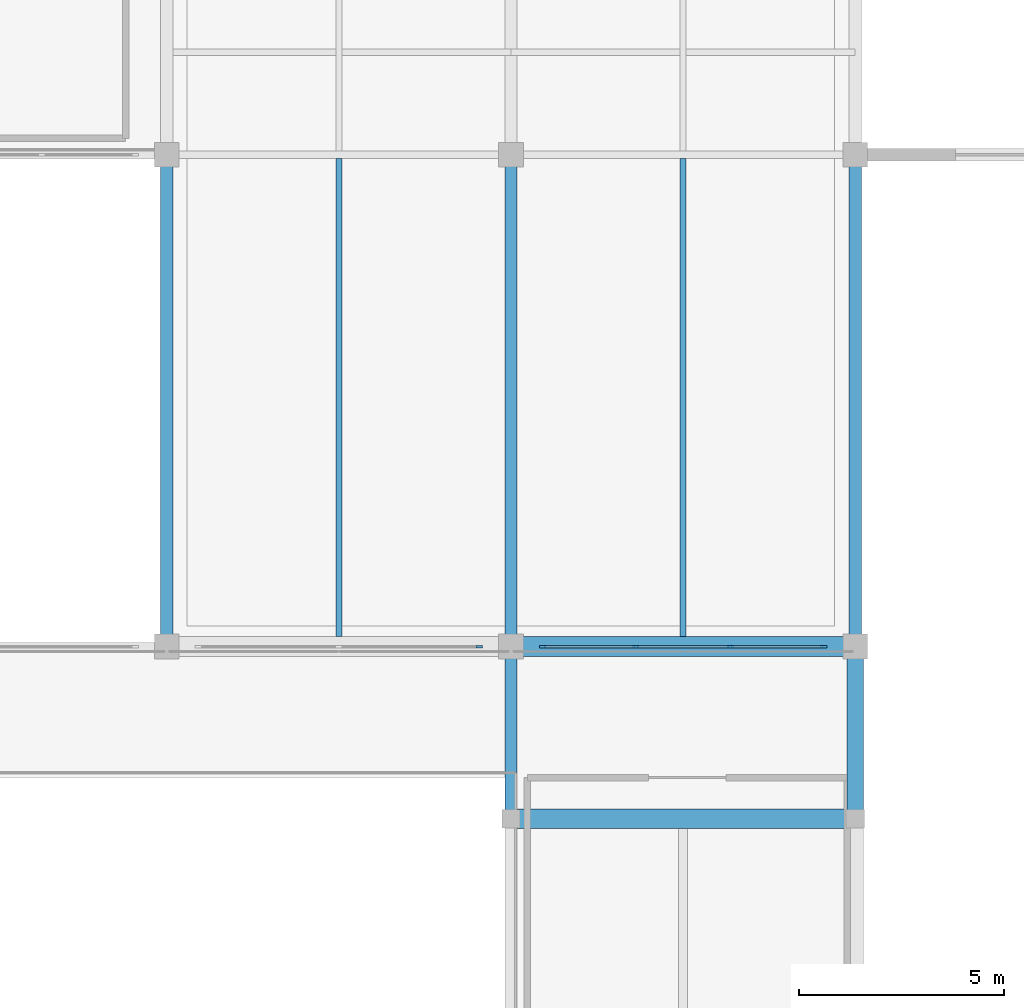
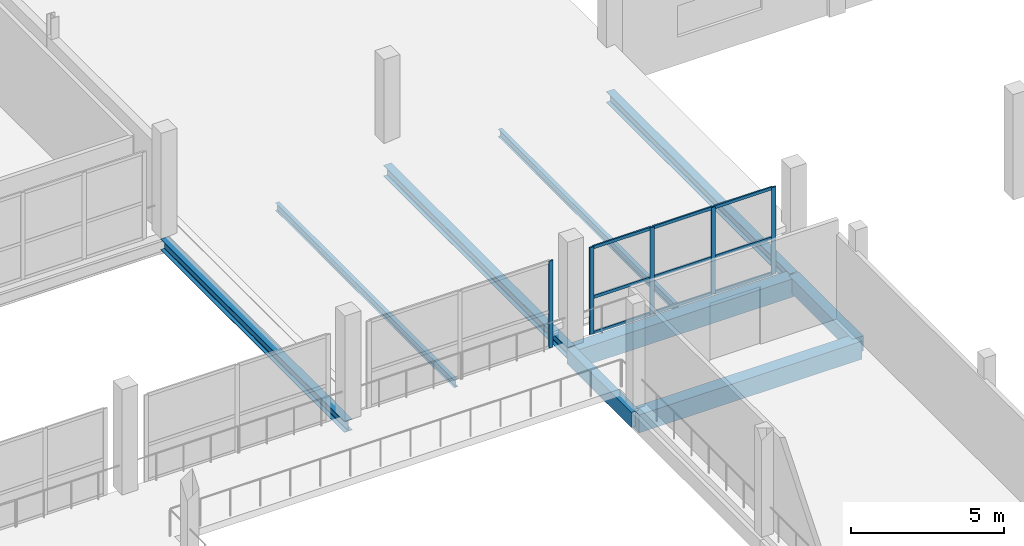
# One storey, part 26 of 53: 14 members, 9 beams, 2 elements without a shape of their own.
"""IFC4 building model written with IfcOpenShell, lengths in metres."""

from ifc_helpers import new_model, si_unit, direction, frame, origin, origin_2d, place, context, subcontext, project, spatial, rectangle, i_section, extrude, material, material_profile, profile_set, type_object, element, aggregate, save


model = new_model("IFC4")

# Units and contexts
model_context = context("Model", 3, precision=1e-05, world=origin(), true_north=direction((0.0, 1.0)))
body_context = subcontext(model_context, "Body", "Model", "MODEL_VIEW")
ifc_project = project(units=[si_unit("LENGTHUNIT", "METRE"), si_unit("AREAUNIT", "SQUARE_METRE"), si_unit("VOLUMEUNIT", "CUBIC_METRE"), si_unit("PLANEANGLEUNIT", "RADIAN"), si_unit("MASSUNIT", "GRAM", prefix="KILO")], contexts=[model_context])

# Site, building, storey
site_placement = place(None, origin())
site = spatial("IfcSite", under=ifc_project, at=site_placement, CompositionType="ELEMENT")
building_placement = place(site_placement, origin())
building = spatial("IfcBuilding", under=site, at=building_placement, Name="Vharandega Faculty of Natural Sciences", CompositionType="ELEMENT")
storey_placement = place(building_placement, frame((0.0, 0.0, 10.199951171875)))
storey = spatial("IfcBuildingStorey", under=building, at=storey_placement, Name="L02", CompositionType="ELEMENT", Elevation=10.199951171875)

# Curtain wall, member
ifc_material_1 = material(Name="Aluminium and solar-control glass curtain wall", Category="aluminium")
curtain_wall_type_1 = type_object("IfcCurtainWallType", Name="Unitised Curtain Wall System CW-09", PredefinedType="NOTDEFINED", material=ifc_material_1)
curtain_wall_1_placement = place(storey_placement, origin())
curtain_wall_1 = element("IfcCurtainWall", 1, at=curtain_wall_1_placement, inside=storey, type_object=curtain_wall_type_1, Name="Curtain Wall CW-L02-092", PredefinedType="NOTDEFINED")
ifc_material_2 = material(Name="Thermally broken aluminium 6063-T6", Category="aluminium")
ifc_material_profile_1 = material_profile(ifc_material_2, rectangle(XDim=0.06005859375, YDim=0.159912109375, at=origin_2d()), Name="ALU 60x160")
ifc_profile_set_1 = profile_set([ifc_material_profile_1], Name="Thermally broken aluminium 6063-T6")
member_type_1 = type_object("IfcMemberType", Name="CW Mullion 60x160", PredefinedType="MULLION", material=ifc_profile_set_1)
member_1_placement = place(storey_placement, frame((80.429931640625, 85.0, 0.0), z_axis=(0.0, 0.0, 1.0), x_axis=(0.0, 1.0, 0.0)))
member_1 = element("IfcMember", 2, at=member_1_placement, type_object=member_type_1, Name="CW-09 mullion 3", PredefinedType="MULLION", context=body_context, shape_type="SweptSolid", body=[
    extrude(rectangle(XDim=0.06005859375, YDim=0.159912109375, at=origin_2d()), origin(), (0.0, 0.0, 1.0), 3.4599609375),
])
aggregate(curtain_wall_1, [member_1])

# Curtain wall, members
ifc_material_3 = material(Name="Aluminium and solar-control glass curtain wall", Category="aluminium")
curtain_wall_type_2 = type_object("IfcCurtainWallType", Name="Unitised Curtain Wall System CW-10", PredefinedType="NOTDEFINED", material=ifc_material_3)
curtain_wall_2_placement = place(storey_placement, origin())
curtain_wall_2 = element("IfcCurtainWall", 3, at=curtain_wall_2_placement, inside=storey, type_object=curtain_wall_type_2, Name="Curtain Wall CW-L02-093", PredefinedType="NOTDEFINED")
member_2_placement = place(storey_placement, frame((81.969970703125, 85.0, 0.0), z_axis=(0.0, 0.0, 1.0), x_axis=(0.0, 1.0, 0.0)))
member_2 = element("IfcMember", 4, at=member_2_placement, type_object=member_type_1, Name="CW-10 mullion 1", PredefinedType="MULLION", context=body_context, shape_type="SweptSolid", body=[
    extrude(rectangle(XDim=0.06005859375, YDim=0.159912109375, at=origin_2d()), origin(), (0.0, 0.0, 1.0), 3.4599609375),
])
member_3_placement = place(storey_placement, frame((84.24658203125, 85.0, 0.0), z_axis=(0.0, 0.0, 1.0), x_axis=(0.0, 1.0, 0.0)))
member_3 = element("IfcMember", 5, at=member_3_placement, type_object=member_type_1, Name="CW-10 mullion 2", PredefinedType="MULLION", context=body_context, shape_type="SweptSolid", body=[
    extrude(rectangle(XDim=0.06005859375, YDim=0.159912109375, at=origin_2d()), origin(), (0.0, 0.0, 1.0), 3.4599609375),
])
member_4_placement = place(storey_placement, frame((86.55322265625, 85.0, 0.0), z_axis=(0.0, 0.0, 1.0), x_axis=(0.0, 1.0, 0.0)))
member_4 = element("IfcMember", 6, at=member_4_placement, type_object=member_type_1, Name="CW-10 mullion 3", PredefinedType="MULLION", context=body_context, shape_type="SweptSolid", body=[
    extrude(rectangle(XDim=0.06005859375, YDim=0.159912109375, at=origin_2d()), origin(), (0.0, 0.0, 1.0), 3.4599609375),
])
member_5_placement = place(storey_placement, frame((88.830078125, 85.0, 0.0), z_axis=(0.0, 0.0, 1.0), x_axis=(0.0, 1.0, 0.0)))
member_5 = element("IfcMember", 7, at=member_5_placement, type_object=member_type_1, Name="CW-10 mullion 4", PredefinedType="MULLION", context=body_context, shape_type="SweptSolid", body=[
    extrude(rectangle(XDim=0.06005859375, YDim=0.159912109375, at=origin_2d()), origin(), (0.0, 0.0, 1.0), 3.4599609375),
])
ifc_material_4 = material(Name="Thermally broken aluminium 6063-T6", Category="aluminium")
ifc_material_profile_2 = material_profile(ifc_material_4, rectangle(XDim=0.06005859375, YDim=0.1201171875, at=origin_2d()), Name="ALU 60x120")
ifc_profile_set_2 = profile_set([ifc_material_profile_2], Name="Thermally broken aluminium 6063-T6")
member_type_2 = type_object("IfcMemberType", Name="CW Transom 60x120", PredefinedType="USERDEFINED", material=ifc_profile_set_2)
member_6_placement = place(storey_placement, frame((82.0, 85.0, 0.030029296875), z_axis=(1.0, 0.0, 0.0), x_axis=(0.0, 1.0, 0.0)))
member_6 = element("IfcMember", 8, at=member_6_placement, type_object=member_type_2, Name="CW-10 transom 1.1", ObjectType="TRANSOM", PredefinedType="USERDEFINED", context=body_context, shape_type="SweptSolid", body=[
    extrude(rectangle(XDim=0.06005859375, YDim=0.1201171875, at=origin_2d()), origin(), (0.0, 0.0, 1.0), 2.216552734375),
])
member_7_placement = place(storey_placement, frame((82.0, 85.0, 1.453369140625), z_axis=(1.0, 0.0, 0.0), x_axis=(0.0, 1.0, 0.0)))
member_7 = element("IfcMember", 9, at=member_7_placement, type_object=member_type_2, Name="CW-10 transom 1.2", ObjectType="TRANSOM", PredefinedType="USERDEFINED", context=body_context, shape_type="SweptSolid", body=[
    extrude(rectangle(XDim=0.06005859375, YDim=0.1201171875, at=origin_2d()), origin(), (0.0, 0.0, 1.0), 2.216552734375),
])
member_8_placement = place(storey_placement, frame((82.0, 85.0, 3.429931640625), z_axis=(1.0, 0.0, 0.0), x_axis=(0.0, 1.0, 0.0)))
member_8 = element("IfcMember", 10, at=member_8_placement, type_object=member_type_2, Name="CW-10 transom 1.3", ObjectType="TRANSOM", PredefinedType="USERDEFINED", context=body_context, shape_type="SweptSolid", body=[
    extrude(rectangle(XDim=0.06005859375, YDim=0.1201171875, at=origin_2d()), origin(), (0.0, 0.0, 1.0), 2.216552734375),
])
member_9_placement = place(storey_placement, frame((84.276611328125, 85.0, 0.030029296875), z_axis=(1.0, 0.0, 0.0), x_axis=(0.0, 1.0, 0.0)))
member_9 = element("IfcMember", 11, at=member_9_placement, type_object=member_type_2, Name="CW-10 transom 2.1", ObjectType="TRANSOM", PredefinedType="USERDEFINED", context=body_context, shape_type="SweptSolid", body=[
    extrude(rectangle(XDim=0.06005859375, YDim=0.1201171875, at=origin_2d()), origin(), (0.0, 0.0, 1.0), 2.246826171875),
])
member_10_placement = place(storey_placement, frame((84.276611328125, 85.0, 1.453369140625), z_axis=(1.0, 0.0, 0.0), x_axis=(0.0, 1.0, 0.0)))
member_10 = element("IfcMember", 12, at=member_10_placement, type_object=member_type_2, Name="CW-10 transom 2.2", ObjectType="TRANSOM", PredefinedType="USERDEFINED", context=body_context, shape_type="SweptSolid", body=[
    extrude(rectangle(XDim=0.06005859375, YDim=0.1201171875, at=origin_2d()), origin(), (0.0, 0.0, 1.0), 2.246826171875),
])
member_11_placement = place(storey_placement, frame((84.276611328125, 85.0, 3.429931640625), z_axis=(1.0, 0.0, 0.0), x_axis=(0.0, 1.0, 0.0)))
member_11 = element("IfcMember", 13, at=member_11_placement, type_object=member_type_2, Name="CW-10 transom 2.3", ObjectType="TRANSOM", PredefinedType="USERDEFINED", context=body_context, shape_type="SweptSolid", body=[
    extrude(rectangle(XDim=0.06005859375, YDim=0.1201171875, at=origin_2d()), origin(), (0.0, 0.0, 1.0), 2.246826171875),
])
member_12_placement = place(storey_placement, frame((86.583251953125, 85.0, 0.030029296875), z_axis=(1.0, 0.0, 0.0), x_axis=(0.0, 1.0, 0.0)))
member_12 = element("IfcMember", 14, at=member_12_placement, type_object=member_type_2, Name="CW-10 transom 3.1", ObjectType="TRANSOM", PredefinedType="USERDEFINED", context=body_context, shape_type="SweptSolid", body=[
    extrude(rectangle(XDim=0.06005859375, YDim=0.1201171875, at=origin_2d()), origin(), (0.0, 0.0, 1.0), 2.216796875),
])
member_13_placement = place(storey_placement, frame((86.583251953125, 85.0, 1.453369140625), z_axis=(1.0, 0.0, 0.0), x_axis=(0.0, 1.0, 0.0)))
member_13 = element("IfcMember", 15, at=member_13_placement, type_object=member_type_2, Name="CW-10 transom 3.2", ObjectType="TRANSOM", PredefinedType="USERDEFINED", context=body_context, shape_type="SweptSolid", body=[
    extrude(rectangle(XDim=0.06005859375, YDim=0.1201171875, at=origin_2d()), origin(), (0.0, 0.0, 1.0), 2.216796875),
])
member_14_placement = place(storey_placement, frame((86.583251953125, 85.0, 3.429931640625), z_axis=(1.0, 0.0, 0.0), x_axis=(0.0, 1.0, 0.0)))
member_14 = element("IfcMember", 16, at=member_14_placement, type_object=member_type_2, Name="CW-10 transom 3.3", ObjectType="TRANSOM", PredefinedType="USERDEFINED", context=body_context, shape_type="SweptSolid", body=[
    extrude(rectangle(XDim=0.06005859375, YDim=0.1201171875, at=origin_2d()), origin(), (0.0, 0.0, 1.0), 2.216796875),
])
aggregate(curtain_wall_2, [member_2, member_3, member_4, member_5, member_6, member_7, member_8, member_9, member_10, member_11, member_12, member_13, member_14])

# Beams
ifc_material_5 = material(Name="Glulam GL28h", Category="wood")
ifc_material_profile_3 = material_profile(ifc_material_5, rectangle(XDim=0.300048828125, YDim=0.60009765625, at=origin_2d()), Name="GL28h 300x600")
ifc_profile_set_3 = profile_set([ifc_material_profile_3], Name="Glulam GL28h")
beam_type_1 = type_object("IfcBeamType", Name="Glulam Floor Beam 300x600", PredefinedType="BEAM", material=ifc_profile_set_3)
beam_1_placement = place(storey_placement, frame((81.199951171875, 80.800048828125, -0.579833984375), z_axis=(0.0, 1.0, 0.0), x_axis=(-1.0, 0.0, 0.0)))
element("IfcBeam", 17, at=beam_1_placement, inside=storey, type_object=beam_type_1, Name="Beam L02 11/L-M", PredefinedType="BEAM", context=body_context, shape_type="SweptSolid", body=[
    extrude(rectangle(XDim=0.300048828125, YDim=0.60009765625, at=origin_2d()), origin(), (0.0, 0.0, 1.0), 4.199951171875),
])
ifc_material_6 = material(Name="Glulam GL32h", Category="wood")
ifc_material_profile_4 = material_profile(ifc_material_6, rectangle(XDim=0.47998046875, YDim=0.719970703125, at=origin_2d()), Name="GL32h 480x720")
ifc_profile_set_4 = profile_set([ifc_material_profile_4], Name="Glulam GL32h")
beam_type_2 = type_object("IfcBeamType", Name="Glulam Primary Girder 480x720", PredefinedType="BEAM", material=ifc_profile_set_4)
for number, where, z_axis, x_axis, name in (
    (18, (81.199951171875, 80.800048828125, -0.639892578125), (1.0, 0.0, 0.0), (0.0, 1.0, 0.0), "Beam L02 L/11-12"),
    (19, (81.199951171875, 85.0, -0.639892578125), (1.0, 0.0, 0.0), (0.0, 1.0, 0.0), "Beam L02 M/11-12"),
):
    element("IfcBeam", number, at=place(storey_placement, frame(where, z_axis=z_axis, x_axis=x_axis)), inside=storey, type_object=beam_type_2, Name=name, PredefinedType="BEAM", context=body_context, shape_type="SweptSolid", body=[
        extrude(rectangle(XDim=0.47998046875, YDim=0.719970703125, at=origin_2d()), origin(), (0.0, 0.0, 1.0), 8.400146484375),
    ])
ifc_material_7 = material(Name="Glulam GL32h", Category="wood")
ifc_material_profile_5 = material_profile(ifc_material_7, rectangle(XDim=0.39990234375, YDim=0.60009765625, at=origin_2d()), Name="GL32h 400x600")
ifc_profile_set_5 = profile_set([ifc_material_profile_5], Name="Glulam GL32h")
beam_type_3 = type_object("IfcBeamType", Name="Glulam Spine Girder 400x600", PredefinedType="BEAM", material=ifc_profile_set_5)
beam_2_placement = place(storey_placement, frame((89.60009765625, 80.800048828125, -0.579833984375), z_axis=(0.0, 1.0, 0.0), x_axis=(-1.0, 0.0, 0.0)))
element("IfcBeam", 20, at=beam_2_placement, inside=storey, type_object=beam_type_3, Name="Beam L02 12/L-M", PredefinedType="BEAM", context=body_context, shape_type="SweptSolid", body=[
    extrude(rectangle(XDim=0.39990234375, YDim=0.60009765625, at=origin_2d()), origin(), (0.0, 0.0, 1.0), 4.199951171875),
])
ifc_material_8 = material(Name="Steel S355", Category="steel")
ifc_material_profile_6 = material_profile(ifc_material_8, i_section(OverallWidth=0.300048828125, OverallDepth=0.43994140625, WebThickness=0.011474609375, FlangeThickness=0.02099609375, FilletRadius=0.027099609375, at=origin_2d()), Name="HEA 450")
ifc_profile_set_6 = profile_set([ifc_material_profile_6], Name="Steel S355")
beam_type_4 = type_object("IfcBeamType", Name="Steel Bridge Girder HEA 450", PredefinedType="BEAM", material=ifc_profile_set_6)
for number, where, z_axis, x_axis, name in (
    (21, (72.800048828125, 85.0, -0.4599609375), (0.0, 1.0, 0.0), (-1.0, 0.0, 0.0), "Beam L02 10/M-N"),
    (22, (81.199951171875, 85.0, -0.4599609375), (0.0, 1.0, 0.0), (-1.0, 0.0, 0.0), "Beam L02 11/M-N"),
    (23, (89.60009765625, 85.0, -0.4599609375), (0.0, 1.0, 0.0), (-1.0, 0.0, 0.0), "Beam L02 12/M-N"),
):
    element("IfcBeam", number, at=place(storey_placement, frame(where, z_axis=z_axis, x_axis=x_axis)), inside=storey, type_object=beam_type_4, Name=name, PredefinedType="BEAM", context=body_context, shape_type="SweptSolid", body=[
        extrude(i_section(OverallWidth=0.300048828125, OverallDepth=0.43994140625, WebThickness=0.011474609375, FlangeThickness=0.02099609375, FilletRadius=0.027099609375, at=origin_2d()), origin(), (0.0, 0.0, 1.0), 12.0),
    ])
ifc_material_9 = material(Name="Steel S355", Category="steel")
ifc_material_profile_7 = material_profile(ifc_material_9, i_section(OverallWidth=0.14990234375, OverallDepth=0.300048828125, WebThickness=0.007080078125, FlangeThickness=0.0107421875, FilletRadius=0.014892578125, at=origin_2d()), Name="IPE 300")
ifc_profile_set_7 = profile_set([ifc_material_profile_7], Name="Steel S355")
beam_type_5 = type_object("IfcBeamType", Name="Steel Canopy Joist IPE 300", PredefinedType="JOIST", material=ifc_profile_set_7)
for number, where, z_axis, x_axis, name in (
    (24, (77.0, 85.239990234375, -0.389892578125), (0.0, 1.0, 0.0), (-1.0, 0.0, 0.0), "Secondary Joist L02 10-11/M-N"),
    (25, (85.39990234375, 85.239990234375, -0.389892578125), (0.0, 1.0, 0.0), (-1.0, 0.0, 0.0), "Secondary Joist L02 11-12/M-N"),
):
    element("IfcBeam", number, at=place(storey_placement, frame(where, z_axis=z_axis, x_axis=x_axis)), inside=storey, type_object=beam_type_5, Name=name, PredefinedType="JOIST", context=body_context, shape_type="SweptSolid", body=[
        extrude(i_section(OverallWidth=0.14990234375, OverallDepth=0.300048828125, WebThickness=0.007080078125, FlangeThickness=0.0107421875, FilletRadius=0.014892578125, at=origin_2d()), origin(), (0.0, 0.0, 1.0), 11.669921875),
    ])

save(model, "model.ifc")
